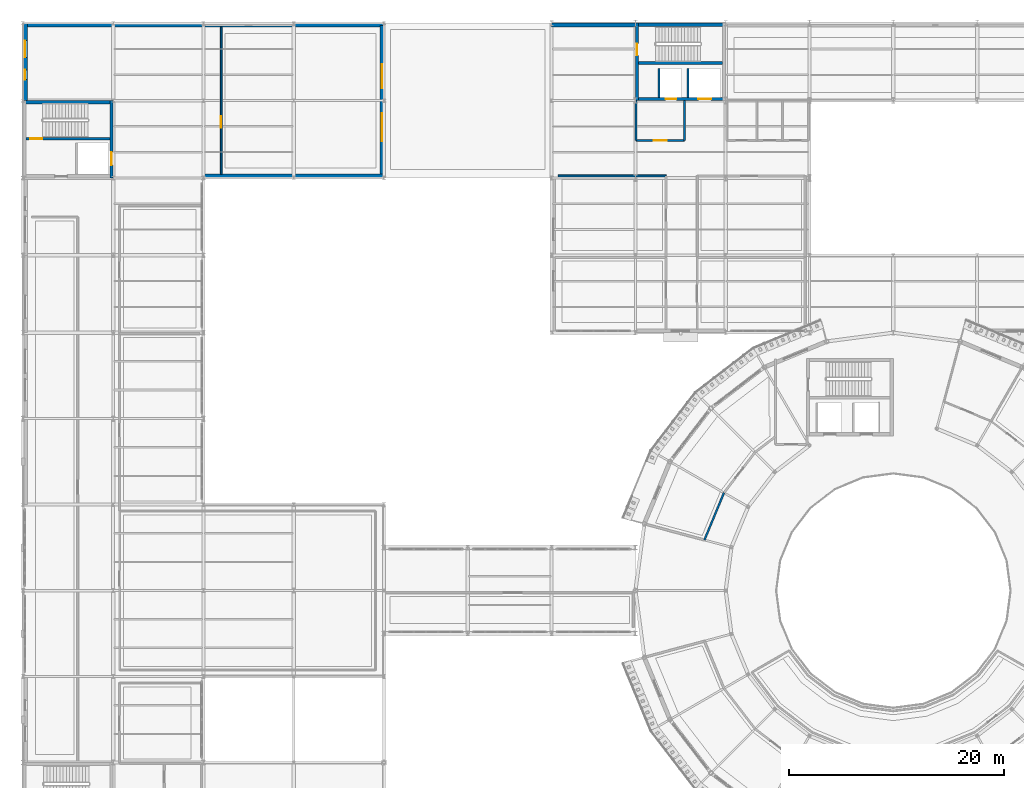
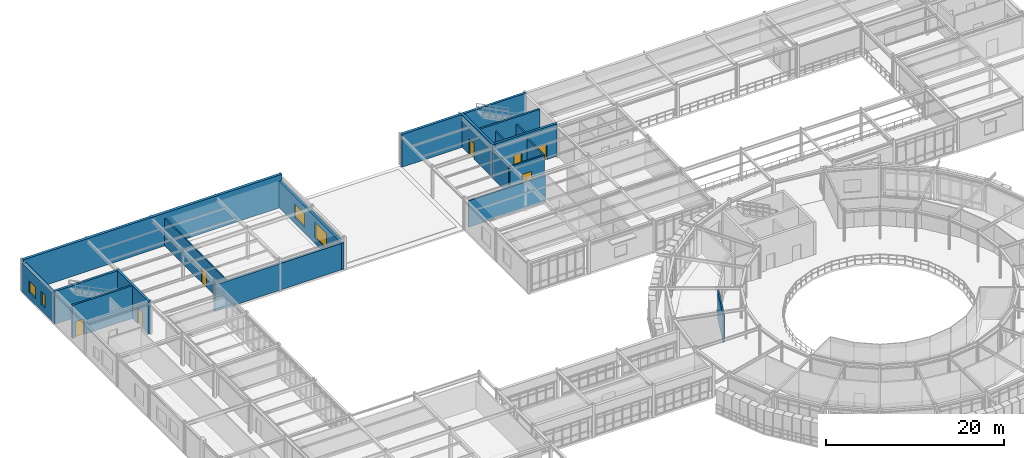
# One storey, part 89 of 106: 20 walls, 7 doors, 4 windows, 11 openings.
"""IFC4 building model written with IfcOpenShell, lengths in metres."""

import ifcopenshell
import ifcopenshell.guid

model = None  # the IFC model being written
_history = None  # IfcOwnerHistory: only IFC2X3 demands one
_inside = {}  # id of a spatial element -> (the spatial element, [elements in it])
_under = {}  # id of a project, library or spatial element -> (it, [spatial elements below it])
_declared = {}  # id of a project -> (the project, [libraries it declares])
_typed = {}  # id of a type object -> (the type object, [elements of that type])
_made_of = {}  # id of a material, layer set ... -> (it, [elements and type objects made of it])


def new_model(schema):
    """Start an empty IFC model of exactly this schema.

    Asked for "IFC4X3", IfcOpenShell would pick the latest addendum, in which some entities
    have other attributes; the version numbers below select the first issue.
    IFC2X3 requires an IfcOwnerHistory on every rooted entity: one is made here for all.
    """
    global model, _history
    if schema == "IFC4X3":
        model = ifcopenshell.file(schema_version=(4, 3, 0, 0))
    else:
        model = ifcopenshell.file(schema=schema)
    _inside.clear()
    _under.clear()
    _declared.clear()
    _typed.clear()
    _made_of.clear()
    _history = None
    if model.schema == "IFC2X3":
        org = make("IfcOrganization", Name="unknown")
        user = make(
            "IfcPersonAndOrganization",
            ThePerson=make("IfcPerson", FamilyName="unknown"),
            TheOrganization=org,
        )
        app = make(
            "IfcApplication",
            ApplicationDeveloper=org,
            Version="unknown",
            ApplicationFullName="unknown",
            ApplicationIdentifier="unknown",
        )
        _history = make(
            "IfcOwnerHistory",
            OwningUser=user,
            OwningApplication=app,
            ChangeAction="ADDED",
            CreationDate=0,
        )
    return model


def make(cls, **values):
    """One entity of the class cls with the attributes given. An attribute that is None is left unset."""
    return model.create_entity(
        cls, **{name: value for name, value in values.items() if value is not None}
    )


def rooted(cls, **values):
    """An entity with a GlobalId (a new one), such as an element, a storey or a relation."""
    return make(cls, GlobalId=ifcopenshell.guid.new(), OwnerHistory=_history, **values)


def si_unit(unit_type, name, prefix=None):
    """IfcSIUnit, for example si_unit("LENGTHUNIT", "METRE", prefix="MILLI")."""
    return make("IfcSIUnit", UnitType=unit_type, Prefix=prefix, Name=name)


def derived_unit(unit_type, elements):
    """IfcDerivedUnit: a product of units, each with its exponent."""
    return make(
        "IfcDerivedUnit",
        Elements=[
            make("IfcDerivedUnitElement", Unit=unit, Exponent=power)
            for unit, power in elements
        ],
        UnitType=unit_type,
    )


def assignment(units):
    """IfcUnitAssignment: the units of a project."""
    return None if units is None else make("IfcUnitAssignment", Units=units)


def point(xyz):
    """IfcCartesianPoint."""
    return None if xyz is None else make("IfcCartesianPoint", Coordinates=xyz)


def direction(xyz):
    """IfcDirection."""
    return None if xyz is None else make("IfcDirection", DirectionRatios=xyz)


def frame(location, z_axis=None, x_axis=None):
    """IfcAxis2Placement3D, a coordinate frame: its origin and axes. An axis left out is left unset."""
    return make(
        "IfcAxis2Placement3D",
        Location=point(location),
        Axis=direction(z_axis),
        RefDirection=direction(x_axis),
    )


def frame_2d(location, x_axis=None):
    """IfcAxis2Placement2D, a coordinate frame in the plane: its origin and x axis."""
    return make(
        "IfcAxis2Placement2D", Location=point(location), RefDirection=direction(x_axis)
    )


def origin():
    """The frame at (0, 0, 0) with its axes left unset."""
    return frame((0.0, 0.0, 0.0))


def place(relative_to, where):
    """IfcLocalPlacement: puts the frame where relative to a parent placement (None: the world)."""
    return make(
        "IfcLocalPlacement", PlacementRelTo=relative_to, RelativePlacement=where
    )


def context(
    kind, dimensions, precision=None, world=None, true_north=None, identifier=None
):
    """IfcGeometricRepresentationContext, for example the 3D "Model" context."""
    return make(
        "IfcGeometricRepresentationContext",
        ContextIdentifier=identifier,
        ContextType=kind,
        CoordinateSpaceDimension=dimensions,
        Precision=precision,
        WorldCoordinateSystem=world,
        TrueNorth=true_north,
    )


def subcontext(parent, identifier, kind, view, scale=None):
    """IfcGeometricRepresentationSubContext, for example "Body" below "Model"."""
    return make(
        "IfcGeometricRepresentationSubContext",
        ContextIdentifier=identifier,
        ContextType=kind,
        ParentContext=parent,
        TargetScale=scale,
        TargetView=view,
    )


def project(units=None, contexts=None):
    """IfcProject with its units and contexts."""
    return rooted(
        "IfcProject",
        Name="project",
        RepresentationContexts=contexts,
        UnitsInContext=assignment(units),
    )


def spatial(cls, under=None, at=None, **own):
    """A site, building, storey or space (cls), placed at a placement, below another one or the project."""
    s = rooted(cls, ObjectPlacement=at, **own)
    if under is not None:
        _under.setdefault(under.id(), (under, []))[1].append(s)
    return s


def profile(cls, at=None, kind="AREA", **sizes):
    """A parametric profile (cls). Its sizes go by their IFC names, for example OverallWidth=200.0."""
    return make(cls, ProfileType=kind, Position=at, **sizes)


def rectangle(**sizes):
    """IfcRectangleProfileDef."""
    return profile("IfcRectangleProfileDef", **sizes)


def extrude(swept, where, along, depth):
    """IfcExtrudedAreaSolid: the profile swept, set in the frame where, extruded along a direction by depth."""
    return make(
        "IfcExtrudedAreaSolid",
        SweptArea=swept,
        Position=where,
        ExtrudedDirection=direction(along),
        Depth=depth,
    )


def shape(context_of_items, identifier, shape_type, items):
    """IfcShapeRepresentation: the items that make up one representation, for example the "Body"."""
    return make(
        "IfcShapeRepresentation",
        ContextOfItems=context_of_items,
        RepresentationIdentifier=identifier,
        RepresentationType=shape_type,
        Items=items,
    )


def material(Name=None, Category=None):
    """IfcMaterial."""
    return make("IfcMaterial", Name=Name, Category=Category)


def layer(
    of_material, thickness, ventilated=None, Name=None, Category=None, Priority=None
):
    """IfcMaterialLayer: one layer of a wall or slab, of a material (None: an air gap)."""
    return make(
        "IfcMaterialLayer",
        Material=of_material,
        LayerThickness=thickness,
        IsVentilated=ventilated,
        Name=Name,
        Category=Category,
        Priority=Priority,
    )


def layer_set(layers, Name=None):
    """IfcMaterialLayerSet."""
    return make("IfcMaterialLayerSet", MaterialLayers=layers, LayerSetName=Name)


def made_of(thing, what):
    """Note that an element or type object is made of a material, layer set ...; save() writes the relation."""
    if what is not None:
        _made_of.setdefault(what.id(), (what, []))[1].append(thing)
    return thing


def type_object(cls, material=None, **own):
    """A type object (cls), such as IfcWallType, which elements share."""
    return made_of(rooted(cls, **own), material)


def element(
    cls,
    number,
    at=None,
    inside=None,
    cuts=None,
    type_object=None,
    material=None,
    context=None,
    identifier="Body",
    shape_type=None,
    held_by="IfcProductDefinitionShape",
    body=None,
    shapes=None,
    **own,
):
    """One element of the class cls, such as IfcWall. Its Tag is "e" and its number.

    at: its placement. inside: the storey or other place that contains it. cuts: it is an
    opening in that element (IfcRelVoidsElement). A single representation is given by context,
    identifier, shape_type and body (its items); several are given by shapes. held_by: the class
    of the entity that holds the representations. save() writes the other relations.
    """
    e = rooted(cls, Tag="e%d" % number, ObjectPlacement=at, **own)
    if body is not None:
        shapes = [shape(context, identifier, shape_type, body)]
    if shapes is not None:
        e.Representation = make(held_by, Representations=shapes)
    if inside is not None:
        _inside.setdefault(inside.id(), (inside, []))[1].append(e)
    if cuts is not None:
        rooted(
            "IfcRelVoidsElement", RelatingBuildingElement=cuts, RelatedOpeningElement=e
        )
    if type_object is not None:
        _typed.setdefault(type_object.id(), (type_object, []))[1].append(e)
    return made_of(e, material)


def fill(opening, filler):
    """IfcRelFillsElement: the door or window that sits in an opening."""
    return rooted(
        "IfcRelFillsElement",
        RelatingOpeningElement=opening,
        RelatedBuildingElement=filler,
    )


def aggregate(whole, parts):
    """IfcRelAggregates: a whole, such as a stair, and the parts it consists of."""
    return rooted("IfcRelAggregates", RelatingObject=whole, RelatedObjects=parts)


def save(model, path):
    """Write the relations noted so far, then the file.

    IfcRelAggregates (storeys below a building ...), IfcRelContainedInSpatialStructure (elements
    in a storey), IfcRelDefinesByType, IfcRelAssociatesMaterial and IfcRelDeclares: one each for
    every whole, place, type object, material and project.
    """
    for whole, parts in _under.values():
        aggregate(whole, parts)
    for where, things in _inside.values():
        rooted(
            "IfcRelContainedInSpatialStructure",
            RelatedElements=things,
            RelatingStructure=where,
        )
    for kind, things in _typed.values():
        rooted("IfcRelDefinesByType", RelatedObjects=things, RelatingType=kind)
    for what, things in _made_of.values():
        rooted("IfcRelAssociatesMaterial", RelatedObjects=things, RelatingMaterial=what)
    for by, libraries in _declared.values():
        rooted("IfcRelDeclares", RelatingContext=by, RelatedDefinitions=libraries)
    model.write(path)


model = new_model("IFC4")

# Units and contexts
model_context = context("Model", 3, precision=1e-05, world=origin(), true_north=direction((0.0, 1.0)))
body_context = subcontext(model_context, "Body", "Model", "MODEL_VIEW")
ifc_project = project(units=[si_unit("LENGTHUNIT", "METRE"), si_unit("AREAUNIT", "SQUARE_METRE"), si_unit("VOLUMEUNIT", "CUBIC_METRE"), si_unit("PLANEANGLEUNIT", "RADIAN"), si_unit("MASSUNIT", "GRAM", prefix="KILO"), derived_unit("THERMALTRANSMITTANCEUNIT", [(si_unit("POWERUNIT", "WATT"), 1), (si_unit("AREAUNIT", "SQUARE_METRE"), -1), (si_unit("THERMODYNAMICTEMPERATUREUNIT", "KELVIN"), -1)])], contexts=[model_context])

# Site, building, storey
site_placement = place(None, origin())
site = spatial("IfcSite", under=ifc_project, at=site_placement, CompositionType="ELEMENT")
building_placement = place(site_placement, origin())
building = spatial("IfcBuilding", under=site, at=building_placement, Name="Yasenodar Specialist Clinic", CompositionType="ELEMENT")
storey_placement = place(building_placement, frame((0.0, 0.0, 4.5)))
storey = spatial("IfcBuildingStorey", under=building, at=storey_placement, Name="L01", CompositionType="ELEMENT", Elevation=4.5)

# Wall, openings, windows
ifc_material_1 = material(Name="Kapustianske Red Granite Ashlar Rainscreen", Category="masonry")
ifc_layer_1 = layer(ifc_material_1, 0.419921875)
ifc_layer_set_1 = layer_set([ifc_layer_1], Name="Kapustianske Red Granite Ashlar Rainscreen")
wall_type_1 = type_object("IfcWallType", Name="EW-GRAN-420", PredefinedType="SOLIDWALL", material=ifc_layer_set_1)
wall_1_placement = place(storey_placement, frame((0.199951171875, 104.39990234375, 0.0), z_axis=(0.0, 0.0, 1.0), x_axis=(0.0, 1.0, 0.0)))
wall_1 = element("IfcWall", 1, at=wall_1_placement, inside=storey, type_object=wall_type_1, Name="L01 Exterior Facade Wall 0096", PredefinedType="SOLIDWALL", context=body_context, shape_type="SweptSolid", body=[
    extrude(rectangle(XDim=7.2001953125, YDim=0.419921875, at=frame_2d((3.60009765625, 0.0))), origin(), (0.0, 0.0, 1.0), 3.97802734375),
])
opening_1_placement = place(wall_1_placement, frame((1.949951171875, 0.0, 0.85009765625)))
opening_1 = element("IfcOpeningElement", 2, at=opening_1_placement, cuts=wall_1, Name="Opening W-09", PredefinedType="OPENING", context=body_context, shape_type="SweptSolid", body=[
    extrude(rectangle(XDim=0.89990234375, YDim=1.800048828125, at=frame_2d((0.449951171875, 0.89990234375))), frame((0.0, 0.219970703125, 0.0), z_axis=(0.0, -1.0, 0.0), x_axis=(1.0, 0.0, 0.0)), (0.0, 0.0, 1.0), 0.43994140625),
])
opening_2_placement = place(wall_1_placement, frame((4.02490234375, 0.0, 0.85009765625)))
opening_2 = element("IfcOpeningElement", 3, at=opening_2_placement, cuts=wall_1, Name="Opening W-16", PredefinedType="OPENING", context=body_context, shape_type="SweptSolid", body=[
    extrude(rectangle(XDim=1.550048828125, YDim=1.60009765625, at=frame_2d((0.77490234375, 0.800048828125))), frame((0.0, 0.219970703125, 0.0), z_axis=(0.0, -1.0, 0.0), x_axis=(1.0, 0.0, 0.0)), (0.0, 0.0, 1.0), 0.43994140625),
])
ifc_material_2 = material(Name="Triple Low-E Argon Glazing in Bronze Aluminium Frame", Category="aluminium")
window_type_1 = type_object("IfcWindowType", Name="WIN-EXT-09", PartitioningType="SINGLE_PANEL", PredefinedType="WINDOW", material=ifc_material_2)
window_1_placement = place(opening_1_placement, origin())
window_1 = element("IfcWindow", 4, at=window_1_placement, inside=storey, type_object=window_type_1, Name="L01 Triple-Glazed Reveal Window 0086", OverallHeight=1.800048828125, OverallWidth=0.89990234375, PartitioningType="SINGLE_PANEL", PredefinedType="WINDOW", context=body_context, shape_type="SweptSolid", body=[
    extrude(rectangle(XDim=0.89990234375, YDim=1.800048828125, at=frame_2d((0.449951171875, 0.89990234375))), frame((0.0, 0.030029296875, 0.0), z_axis=(0.0, -1.0, 0.0), x_axis=(1.0, 0.0, 0.0)), (0.0, 0.0, 1.0), 0.06005859375),
])
fill(opening_1, window_1)
window_type_2 = type_object("IfcWindowType", Name="WIN-EXT-16", PartitioningType="SINGLE_PANEL", PredefinedType="WINDOW", material=ifc_material_2)
window_2_placement = place(opening_2_placement, origin())
window_2 = element("IfcWindow", 5, at=window_2_placement, inside=storey, type_object=window_type_2, Name="L01 Triple-Glazed Reveal Window 0087", OverallHeight=1.60009765625, OverallWidth=1.550048828125, PartitioningType="SINGLE_PANEL", PredefinedType="WINDOW", context=body_context, shape_type="SweptSolid", body=[
    extrude(rectangle(XDim=1.550048828125, YDim=1.60009765625, at=frame_2d((0.77490234375, 0.800048828125))), frame((0.0, 0.030029296875, 0.0), z_axis=(0.0, -1.0, 0.0), x_axis=(1.0, 0.0, 0.0)), (0.0, 0.0, 1.0), 0.06005859375),
])
fill(opening_2, window_2)

# Wall
ifc_material_3 = material(Name="Fluted Terracotta Spandrel Wall", Category="masonry")
ifc_layer_2 = layer(ifc_material_3, 0.31494140625)
ifc_layer_set_2 = layer_set([ifc_layer_2], Name="Fluted Terracotta Spandrel Wall")
wall_type_2 = type_object("IfcWallType", Name="EW-TERR-315", PredefinedType="SOLIDWALL", material=ifc_layer_set_2)
wall_2_placement = place(storey_placement, frame((33.60009765625, 97.39990234375, 0.0), z_axis=(0.0, 0.0, 1.0), x_axis=(-1.0, 0.0, 0.0)))
element("IfcWall", 6, at=wall_2_placement, inside=storey, type_object=wall_type_2, Name="L01 Exterior Facade Wall 0098", PredefinedType="SOLIDWALL", context=body_context, shape_type="SweptSolid", body=[
    extrude(rectangle(XDim=16.800048828125, YDim=0.31494140625, at=frame_2d((8.39990234375, 0.0))), origin(), (0.0, 0.0, 1.0), 3.6279296875),
])

# Wall, openings, windows
ifc_material_4 = material(Name="Buff Architectural Terracotta Rainscreen", Category="masonry")
ifc_layer_3 = layer(ifc_material_4, 0.340087890625)
ifc_layer_set_3 = layer_set([ifc_layer_3], Name="Buff Architectural Terracotta Rainscreen")
wall_type_3 = type_object("IfcWallType", Name="EW-TERR-340", PredefinedType="SOLIDWALL", material=ifc_layer_set_3)
wall_3_placement = place(storey_placement, frame((33.39990234375, 111.39990234375, 0.0), z_axis=(0.0, 0.0, 1.0), x_axis=(0.0, -1.0, 0.0)))
wall_3 = element("IfcWall", 7, at=wall_3_placement, inside=storey, type_object=wall_type_3, Name="L01 Exterior Facade Wall 0097", PredefinedType="SOLIDWALL", context=body_context, shape_type="SweptSolid", body=[
    extrude(rectangle(XDim=14.199951171875, YDim=0.340087890625, at=frame_2d((7.10009765625, 0.0))), origin(), (0.0, 0.0, 1.0), 3.677978515625),
])
opening_3_placement = place(wall_3_placement, frame((3.63330078125, 0.0, 0.85009765625)))
opening_3 = element("IfcOpeningElement", 8, at=opening_3_placement, cuts=wall_3, Name="Opening W-13", PredefinedType="OPENING", context=body_context, shape_type="SweptSolid", body=[
    extrude(rectangle(XDim=2.199951171875, YDim=1.85009765625, at=frame_2d((1.10009765625, 0.925048828125))), frame((0.0, 0.18017578125, 0.0), z_axis=(0.0, -1.0, 0.0), x_axis=(1.0, 0.0, 0.0)), (0.0, 0.0, 1.0), 0.360107421875),
])
opening_4_placement = place(wall_3_placement, frame((8.166748046875, 0.0, 0.85009765625)))
opening_4 = element("IfcOpeningElement", 9, at=opening_4_placement, cuts=wall_3, Name="Opening W-14", PredefinedType="OPENING", context=body_context, shape_type="SweptSolid", body=[
    extrude(rectangle(XDim=2.60009765625, YDim=2.10009765625, at=frame_2d((1.300048828125, 1.050048828125))), frame((0.0, 0.18017578125, 0.0), z_axis=(0.0, -1.0, 0.0), x_axis=(1.0, 0.0, 0.0)), (0.0, 0.0, 1.0), 0.360107421875),
])
window_type_3 = type_object("IfcWindowType", Name="WIN-EXT-13", PartitioningType="SINGLE_PANEL", PredefinedType="WINDOW", material=ifc_material_2)
window_3_placement = place(opening_3_placement, origin())
window_3 = element("IfcWindow", 10, at=window_3_placement, inside=storey, type_object=window_type_3, Name="L01 Triple-Glazed Reveal Window 0088", OverallHeight=1.85009765625, OverallWidth=2.199951171875, PartitioningType="SINGLE_PANEL", PredefinedType="WINDOW", context=body_context, shape_type="SweptSolid", body=[
    extrude(rectangle(XDim=2.199951171875, YDim=1.85009765625, at=frame_2d((1.10009765625, 0.925048828125))), frame((0.0, 0.030029296875, 0.0), z_axis=(0.0, -1.0, 0.0), x_axis=(1.0, 0.0, 0.0)), (0.0, 0.0, 1.0), 0.06005859375),
])
fill(opening_3, window_3)
window_type_4 = type_object("IfcWindowType", Name="WIN-EXT-14", PartitioningType="SINGLE_PANEL", PredefinedType="WINDOW", material=ifc_material_2)
window_4_placement = place(opening_4_placement, origin())
window_4 = element("IfcWindow", 11, at=window_4_placement, inside=storey, type_object=window_type_4, Name="L01 Triple-Glazed Reveal Window 0089", OverallHeight=2.10009765625, OverallWidth=2.60009765625, PartitioningType="SINGLE_PANEL", PredefinedType="WINDOW", context=body_context, shape_type="SweptSolid", body=[
    extrude(rectangle(XDim=2.60009765625, YDim=2.10009765625, at=frame_2d((1.300048828125, 1.050048828125))), frame((0.0, 0.030029296875, 0.0), z_axis=(0.0, -1.0, 0.0), x_axis=(1.0, 0.0, 0.0)), (0.0, 0.0, 1.0), 0.06005859375),
])
fill(opening_4, window_4)

# Wall, opening, door
ifc_material_5 = material(Name="Acoustic Double-Gypsum Consulting Partition")
ifc_layer_4 = layer(ifc_material_5, 0.159912109375)
ifc_layer_set_4 = layer_set([ifc_layer_4], Name="Acoustic Double-Gypsum Consulting Partition")
wall_type_4 = type_object("IfcWallType", Name="IW-CONS-160", PredefinedType="PARTITIONING", material=ifc_layer_set_4)
wall_4_placement = place(storey_placement, frame((18.449951171875, 97.53759765625, 0.0), z_axis=(0.0, 0.0, 1.0), x_axis=(0.0, 1.0, 0.0)))
wall_4 = element("IfcWall", 12, at=wall_4_placement, inside=storey, type_object=wall_type_4, Name="L01 Endocrinology Specialist Clinic Partition", PredefinedType="PARTITIONING", context=body_context, shape_type="SweptSolid", body=[
    extrude(rectangle(XDim=13.732421875, YDim=0.159912109375, at=frame_2d((6.8662109375, 0.0))), origin(), (0.0, 0.0, 1.0), 3.72802734375),
])
opening_5_placement = place(wall_4_placement, frame((4.33251953125, 0.0, 0.0)))
opening_5 = element("IfcOpeningElement", 13, at=opening_5_placement, cuts=wall_4, Name="Opening D-04", PredefinedType="OPENING", context=body_context, shape_type="SweptSolid", body=[
    extrude(rectangle(XDim=1.06005859375, YDim=2.159912109375, at=frame_2d((0.530029296875, 1.080078125))), frame((0.0, 0.08984375, 0.0), z_axis=(0.0, -1.0, 0.0), x_axis=(1.0, 0.0, 0.0)), (0.0, 0.0, 1.0), 0.179931640625),
])
ifc_material_6 = material(Name="Powder-Coated Steel and Acoustic Laminate Leaf", Category="steel")
door_type_1 = type_object("IfcDoorType", Name="DR-CLN-106", OperationType="NOTDEFINED", PredefinedType="DOOR", material=ifc_material_6)
door_1_placement = place(opening_5_placement, origin())
door_1 = element("IfcDoor", 14, at=door_1_placement, inside=storey, type_object=door_type_1, Name="L01 Endocrinology Specialist Clinic Door", OperationType="SINGLE_SWING_RIGHT", OverallHeight=2.159912109375, OverallWidth=1.06005859375, PredefinedType="DOOR", context=body_context, shape_type="SweptSolid", body=[
    extrude(rectangle(XDim=1.06005859375, YDim=2.159912109375, at=frame_2d((0.530029296875, 1.080078125))), frame((0.0, 0.02490234375, 0.0), z_axis=(0.0, -1.0, 0.0), x_axis=(1.0, 0.0, 0.0)), (0.0, 0.0, 1.0), 0.050048828125),
])
fill(opening_5, door_1)

ifc_material_7 = material(Name="Fire-Rated Gypsum and Mineral-Wool Wall")
ifc_layer_5 = layer(ifc_material_7, 0.195068359375)
ifc_layer_set_5 = layer_set([ifc_layer_5], Name="Fire-Rated Gypsum and Mineral-Wool Wall")
wall_type_5 = type_object("IfcWallType", Name="IW-LOBBY-195", PredefinedType="PARTITIONING", material=ifc_layer_set_5)
wall_5_placement = place(storey_placement, frame((57.050048828125, 100.699951171875, 0.0), z_axis=(0.0, 0.0, 1.0), x_axis=(1.0, 0.0, 0.0)))
wall_5 = element("IfcWall", 15, at=wall_5_placement, inside=storey, type_object=wall_type_5, Name="L01 C4 Firefighting Lobby South Wall", PredefinedType="PARTITIONING", context=body_context, shape_type="SweptSolid", body=[
    extrude(rectangle(XDim=4.5, YDim=0.195068359375, at=frame_2d((2.25, 0.0))), origin(), (0.0, 0.0, 1.0), 3.778076171875),
])
opening_6_placement = place(wall_5_placement, frame((1.64990234375, 0.0, 0.0)))
opening_6 = element("IfcOpeningElement", 16, at=opening_6_placement, cuts=wall_5, Name="Opening FD-02", PredefinedType="OPENING", context=body_context, shape_type="SweptSolid", body=[
    extrude(rectangle(XDim=1.199951171875, YDim=2.14990234375, at=frame_2d((0.60009765625, 1.074951171875))), frame((0.0, 0.107421875, 0.0), z_axis=(0.0, -1.0, 0.0), x_axis=(1.0, 0.0, 0.0)), (0.0, 0.0, 1.0), 0.215087890625),
])
ifc_material_8 = material(Name="Fire-Rated Insulated Steel Door", Category="steel")
door_type_2 = type_object("IfcDoorType", Name="DR-FD-120", OperationType="NOTDEFINED", PredefinedType="DOOR", material=ifc_material_8)
door_2_placement = place(opening_6_placement, origin())
door_2 = element("IfcDoor", 17, at=door_2_placement, inside=storey, type_object=door_type_2, Name="L01 C4 Firefighting Lobby Door", OperationType="SINGLE_SWING_RIGHT", OverallHeight=2.14990234375, OverallWidth=1.199951171875, PredefinedType="DOOR", context=body_context, shape_type="SweptSolid", body=[
    extrude(rectangle(XDim=1.199951171875, YDim=2.14990234375, at=frame_2d((0.60009765625, 1.074951171875))), frame((0.0, 0.02490234375, 0.0), z_axis=(0.0, -1.0, 0.0), x_axis=(1.0, 0.0, 0.0)), (0.0, 0.0, 1.0), 0.050048828125),
])
fill(opening_6, door_2)

# Walls
wall_6_placement = place(storey_placement, frame((61.550048828125, 100.699951171875, 0.0), z_axis=(0.0, 0.0, 1.0), x_axis=(0.0, 1.0, 0.0)))
element("IfcWall", 18, at=wall_6_placement, inside=storey, type_object=wall_type_5, Name="L01 C4 Firefighting Lobby East Wall", PredefinedType="PARTITIONING", context=body_context, shape_type="SweptSolid", body=[
    extrude(rectangle(XDim=3.699951171875, YDim=0.195068359375, at=frame_2d((1.85009765625, 0.0))), origin(), (0.0, 0.0, 1.0), 3.7880859375),
])
wall_7_placement = place(storey_placement, frame((57.050048828125, 100.699951171875, 0.0), z_axis=(0.0, 0.0, 1.0), x_axis=(0.0, 1.0, 0.0)))
element("IfcWall", 19, at=wall_7_placement, inside=storey, type_object=wall_type_5, Name="L01 C4 Firefighting Lobby West Wall", PredefinedType="PARTITIONING", context=body_context, shape_type="SweptSolid", body=[
    extrude(rectangle(XDim=3.699951171875, YDim=0.195068359375, at=frame_2d((1.85009765625, 0.0))), origin(), (0.0, 0.0, 1.0), 3.778076171875),
])
ifc_material_9 = material(Name="Hygienic Double-Stud Clinical Partition")
ifc_layer_6 = layer(ifc_material_9, 0.179931640625)
ifc_layer_set_6 = layer_set([ifc_layer_6], Name="Hygienic Double-Stud Clinical Partition")
wall_type_6 = type_object("IfcWallType", Name="IW-PROC-180", PredefinedType="PARTITIONING", material=ifc_layer_set_6)
wall_8_placement = place(storey_placement, frame((65.23828125, 67.89990234375, 0.0), z_axis=(0.0, 0.0, 1.0), x_axis=(-0.382677044484, -0.923882178432, 0.0)))
element("IfcWall", 20, at=wall_8_placement, inside=storey, type_object=wall_type_6, Name="L01 Oncology Infusion Bay Suite North-West Partition", PredefinedType="PARTITIONING", context=body_context, shape_type="SweptSolid", body=[
    extrude(rectangle(XDim=4.7509765625, YDim=0.179931640625, at=frame_2d((2.37548828125, 0.0))), origin(), (0.0, 0.0, 1.0), 3.867919921875),
])
wall_9_placement = place(storey_placement, frame((59.85009765625, 97.39990234375, 0.0), z_axis=(0.0, 0.0, 1.0), x_axis=(-1.0, 0.0, 0.0)))
element("IfcWall", 21, at=wall_9_placement, inside=storey, type_object=wall_type_6, Name="L01 Scope Reprocessing Clean Utility Partition", PredefinedType="PARTITIONING", context=body_context, shape_type="SweptSolid", body=[
    extrude(rectangle(XDim=10.050048828125, YDim=0.179931640625, at=frame_2d((5.02490234375, 0.0))), origin(), (0.0, 0.0, 1.0), 3.6279296875),
])
ifc_material_10 = material(Name="Aerated Concrete Blockwork Fire Shaft Wall", Category="masonry")
ifc_layer_7 = layer(ifc_material_10, 0.205078125)
ifc_layer_set_7 = layer_set([ifc_layer_7], Name="Aerated Concrete Blockwork Fire Shaft Wall")
wall_type_7 = type_object("IfcWallType", Name="IW-SHAFT-205", PredefinedType="PARTITIONING", material=ifc_layer_set_7)
for number, where, z_axis, x_axis, name in (
    (22, (59.199951171875, 104.699951171875, 0.0), (0.0, 0.0, 1.0), (0.0, 1.0, 0.0), "L01 LF-02 Lift Shaft Side Wall"),
    (23, (61.89990234375, 104.699951171875, 0.0), (0.0, 0.0, 1.0), (0.0, 1.0, 0.0), "L01 LF-04 Lift Shaft Side Wall"),
):
    element("IfcWall", number, at=place(storey_placement, frame(where, z_axis=z_axis, x_axis=x_axis)), inside=storey, type_object=wall_type_7, Name=name, PredefinedType="PARTITIONING", context=body_context, shape_type="SweptSolid", body=[
        extrude(rectangle(XDim=2.699951171875, YDim=0.205078125, at=frame_2d((1.35009765625, 0.0))), origin(), (0.0, 0.0, 1.0), 3.7880859375),
    ])

# Wall, opening, door
ifc_material_11 = material(Name="Concrete C35/45", Category="concrete")
ifc_layer_8 = layer(ifc_material_11, 0.25)
ifc_layer_set_8 = layer_set([ifc_layer_8], Name="Concrete C35/45")
wall_type_8 = type_object("IfcWallType", Name="WL-CORE-250", PredefinedType="SHEAR", material=ifc_layer_set_8)
wall_10_placement = place(storey_placement, frame((0.300048828125, 100.85009765625, 0.0), z_axis=(0.0, 0.0, 1.0), x_axis=(1.0, 0.0, 0.0)))
wall_10 = element("IfcWall", 24, at=wall_10_placement, inside=storey, type_object=wall_type_8, Name="L01 Core C2 Central Spine Wall", PredefinedType="SHEAR", context=body_context, shape_type="SweptSolid", body=[
    extrude(rectangle(XDim=7.800048828125, YDim=0.25, at=frame_2d((3.89990234375, 0.0))), origin(), (0.0, 0.0, 1.0), 4.5),
])
opening_7_placement = place(wall_10_placement, frame((0.39990234375, 0.0, 0.0)))
opening_7 = element("IfcOpeningElement", 25, at=opening_7_placement, cuts=wall_10, Name="Opening FD-01", PredefinedType="OPENING", context=body_context, shape_type="SweptSolid", body=[
    extrude(rectangle(XDim=1.10009765625, YDim=2.14990234375, at=frame_2d((0.550048828125, 1.074951171875))), frame((0.0, 0.135009765625, 0.0), z_axis=(0.0, -1.0, 0.0), x_axis=(1.0, 0.0, 0.0)), (0.0, 0.0, 1.0), 0.27001953125),
])
door_type_3 = type_object("IfcDoorType", Name="DR-FD-110", OperationType="NOTDEFINED", PredefinedType="DOOR", material=ifc_material_8)
door_3_placement = place(opening_7_placement, origin())
door_3 = element("IfcDoor", 26, at=door_3_placement, inside=storey, type_object=door_type_3, Name="L01 ST-02 Protected Stair Door", OperationType="SINGLE_SWING_LEFT", OverallHeight=2.14990234375, OverallWidth=1.10009765625, PredefinedType="DOOR", context=body_context, shape_type="SweptSolid", body=[
    extrude(rectangle(XDim=1.10009765625, YDim=2.14990234375, at=frame_2d((0.550048828125, 1.074951171875))), frame((0.0, 0.02490234375, 0.0), z_axis=(0.0, -1.0, 0.0), x_axis=(1.0, 0.0, 0.0)), (0.0, 0.0, 1.0), 0.050048828125),
])
fill(opening_7, door_3)

# Walls
wall_11_placement = place(storey_placement, frame((57.300048828125, 107.89990234375, 0.0), z_axis=(0.0, 0.0, 1.0), x_axis=(1.0, 0.0, 0.0)))
element("IfcWall", 27, at=wall_11_placement, inside=storey, type_object=wall_type_8, Name="L01 Core C4 Central Spine Wall", PredefinedType="SHEAR", context=body_context, shape_type="SweptSolid", body=[
    extrude(rectangle(XDim=7.800048828125, YDim=0.25, at=frame_2d((3.89990234375, 0.0))), origin(), (0.0, 0.0, 1.0), 4.5),
])
ifc_layer_9 = layer(ifc_material_11, 0.300048828125)
ifc_layer_set_9 = layer_set([ifc_layer_9], Name="Concrete C35/45")
wall_type_9 = type_object("IfcWallType", Name="WL-CORE-300", PredefinedType="SHEAR", material=ifc_layer_set_9)
wall_12_placement = place(storey_placement, frame((0.0, 104.25, 0.0), z_axis=(0.0, 0.0, 1.0), x_axis=(1.0, 0.0, 0.0)))
element("IfcWall", 28, at=wall_12_placement, inside=storey, type_object=wall_type_9, Name="L01 Core C2 North Shear Wall", PredefinedType="SHEAR", context=body_context, shape_type="SweptSolid", body=[
    extrude(rectangle(XDim=8.39990234375, YDim=0.300048828125, at=frame_2d((4.199951171875, 0.0))), origin(), (0.0, 0.0, 1.0), 4.5),
])

# Wall, opening, door
wall_13_placement = place(storey_placement, frame((8.25, 97.199951171875, 0.0), z_axis=(0.0, 0.0, 1.0), x_axis=(0.0, 1.0, 0.0)))
wall_13 = element("IfcWall", 29, at=wall_13_placement, inside=storey, type_object=wall_type_9, Name="L01 Core C2 East Shear Wall", PredefinedType="SHEAR", context=body_context, shape_type="SweptSolid", body=[
    extrude(rectangle(XDim=7.199951171875, YDim=0.300048828125, at=frame_2d((3.60009765625, 0.0))), origin(), (0.0, 0.0, 1.0), 4.5),
])
opening_8_placement = place(wall_13_placement, frame((1.199951171875, 0.0, 0.0)))
opening_8 = element("IfcOpeningElement", 30, at=opening_8_placement, cuts=wall_13, Name="Opening LD-02", PredefinedType="OPENING", context=body_context, shape_type="SweptSolid", body=[
    extrude(rectangle(XDim=1.199951171875, YDim=2.14990234375, at=frame_2d((0.60009765625, 1.074951171875))), frame((0.0, 0.16015625, 0.0), z_axis=(0.0, -1.0, 0.0), x_axis=(1.0, 0.0, 0.0)), (0.0, 0.0, 1.0), 0.320068359375),
])
door_type_4 = type_object("IfcDoorType", Name="DR-LD-120", OperationType="DOUBLE_DOOR_SLIDING", PredefinedType="DOOR", material=ifc_material_8)
door_4_placement = place(opening_8_placement, origin())
door_4 = element("IfcDoor", 31, at=door_4_placement, inside=storey, type_object=door_type_4, Name="L01 LF-03 Lift Landing Door", OperationType="DOUBLE_DOOR_SLIDING", OverallHeight=2.14990234375, OverallWidth=1.199951171875, PredefinedType="DOOR", context=body_context, shape_type="SweptSolid", body=[
    extrude(rectangle(XDim=1.199951171875, YDim=2.14990234375, at=frame_2d((0.60009765625, 1.074951171875))), frame((0.0, 0.02490234375, 0.0), z_axis=(0.0, -1.0, 0.0), x_axis=(1.0, 0.0, 0.0)), (0.0, 0.0, 1.0), 0.050048828125),
])
fill(opening_8, door_4)

# Wall
wall_14_placement = place(storey_placement, frame((57.0, 111.449951171875, 0.0), z_axis=(0.0, 0.0, 1.0), x_axis=(1.0, 0.0, 0.0)))
element("IfcWall", 32, at=wall_14_placement, inside=storey, type_object=wall_type_9, Name="L01 Core C4 North Shear Wall", PredefinedType="SHEAR", context=body_context, shape_type="SweptSolid", body=[
    extrude(rectangle(XDim=8.39990234375, YDim=0.300048828125, at=frame_2d((4.199951171875, 0.0))), origin(), (0.0, 0.0, 1.0), 4.5),
])

# Wall, openings, doors
wall_15_placement = place(storey_placement, frame((57.0, 104.550048828125, 0.0), z_axis=(0.0, 0.0, 1.0), x_axis=(1.0, 0.0, 0.0)))
wall_15 = element("IfcWall", 33, at=wall_15_placement, inside=storey, type_object=wall_type_9, Name="L01 Core C4 South Shear Wall", PredefinedType="SHEAR", context=body_context, shape_type="SweptSolid", body=[
    extrude(rectangle(XDim=8.39990234375, YDim=0.300048828125, at=frame_2d((4.199951171875, 0.0))), origin(), (0.0, 0.0, 1.0), 4.5),
])
opening_9_placement = place(wall_15_placement, frame((2.800048828125, 0.0, 0.0)))
opening_9 = element("IfcOpeningElement", 34, at=opening_9_placement, cuts=wall_15, Name="Opening LD-01", PredefinedType="OPENING", context=body_context, shape_type="SweptSolid", body=[
    extrude(rectangle(XDim=1.0, YDim=2.10009765625, at=frame_2d((0.5, 1.050048828125))), frame((0.0, 0.16015625, 0.0), z_axis=(0.0, -1.0, 0.0), x_axis=(1.0, 0.0, 0.0)), (0.0, 0.0, 1.0), 0.320068359375),
])
opening_10_placement = place(wall_15_placement, frame((5.85009765625, 0.0, 0.0)))
opening_10 = element("IfcOpeningElement", 35, at=opening_10_placement, cuts=wall_15, Name="Opening LD-02", PredefinedType="OPENING", context=body_context, shape_type="SweptSolid", body=[
    extrude(rectangle(XDim=1.199951171875, YDim=2.14990234375, at=frame_2d((0.60009765625, 1.074951171875))), frame((0.0, 0.16015625, 0.0), z_axis=(0.0, -1.0, 0.0), x_axis=(1.0, 0.0, 0.0)), (0.0, 0.0, 1.0), 0.320068359375),
])
door_type_5 = type_object("IfcDoorType", Name="DR-LD-100", OperationType="DOUBLE_DOOR_SLIDING", PredefinedType="DOOR", material=ifc_material_8)
door_5_placement = place(opening_9_placement, origin())
door_5 = element("IfcDoor", 36, at=door_5_placement, inside=storey, type_object=door_type_5, Name="L01 LF-02 Lift Landing Door", OperationType="DOUBLE_DOOR_SLIDING", OverallHeight=2.10009765625, OverallWidth=1.0, PredefinedType="DOOR", context=body_context, shape_type="SweptSolid", body=[
    extrude(rectangle(XDim=1.0, YDim=2.10009765625, at=frame_2d((0.5, 1.050048828125))), frame((0.0, 0.02490234375, 0.0), z_axis=(0.0, -1.0, 0.0), x_axis=(1.0, 0.0, 0.0)), (0.0, 0.0, 1.0), 0.050048828125),
])
fill(opening_9, door_5)
door_6_placement = place(opening_10_placement, origin())
door_6 = element("IfcDoor", 37, at=door_6_placement, inside=storey, type_object=door_type_4, Name="L01 LF-04 Lift Landing Door", OperationType="DOUBLE_DOOR_SLIDING", OverallHeight=2.14990234375, OverallWidth=1.199951171875, PredefinedType="DOOR", context=body_context, shape_type="SweptSolid", body=[
    extrude(rectangle(XDim=1.199951171875, YDim=2.14990234375, at=frame_2d((0.60009765625, 1.074951171875))), frame((0.0, 0.02490234375, 0.0), z_axis=(0.0, -1.0, 0.0), x_axis=(1.0, 0.0, 0.0)), (0.0, 0.0, 1.0), 0.050048828125),
])
fill(opening_10, door_6)

# Wall, opening, door
wall_16_placement = place(storey_placement, frame((57.14990234375, 104.39990234375, 0.0), z_axis=(0.0, 0.0, 1.0), x_axis=(0.0, 1.0, 0.0)))
wall_16 = element("IfcWall", 38, at=wall_16_placement, inside=storey, type_object=wall_type_9, Name="L01 Core C4 West Shear Wall", PredefinedType="SHEAR", context=body_context, shape_type="SweptSolid", body=[
    extrude(rectangle(XDim=7.2001953125, YDim=0.300048828125, at=frame_2d((3.60009765625, 0.0))), origin(), (0.0, 0.0, 1.0), 4.5),
])
opening_11_placement = place(wall_16_placement, frame((4.199951171875, 0.0, 0.0)))
opening_11 = element("IfcOpeningElement", 39, at=opening_11_placement, cuts=wall_16, Name="Opening FD-01", PredefinedType="OPENING", context=body_context, shape_type="SweptSolid", body=[
    extrude(rectangle(XDim=1.10009765625, YDim=2.14990234375, at=frame_2d((0.550048828125, 1.074951171875))), frame((0.0, 0.16015625, 0.0), z_axis=(0.0, -1.0, 0.0), x_axis=(1.0, 0.0, 0.0)), (0.0, 0.0, 1.0), 0.320068359375),
])
door_7_placement = place(opening_11_placement, origin())
door_7 = element("IfcDoor", 40, at=door_7_placement, inside=storey, type_object=door_type_3, Name="L01 ST-04 Protected Stair Door", OperationType="SINGLE_SWING_RIGHT", OverallHeight=2.14990234375, OverallWidth=1.10009765625, PredefinedType="DOOR", context=body_context, shape_type="SweptSolid", body=[
    extrude(rectangle(XDim=1.10009765625, YDim=2.14990234375, at=frame_2d((0.550048828125, 1.074951171875))), frame((0.0, 0.02490234375, 0.0), z_axis=(0.0, -1.0, 0.0), x_axis=(1.0, 0.0, 0.0)), (0.0, 0.0, 1.0), 0.050048828125),
])
fill(opening_11, door_7)

# Walls
ifc_layer_10 = layer(ifc_material_11, 0.35009765625)
ifc_layer_set_10 = layer_set([ifc_layer_10], Name="Concrete C35/45")
wall_type_10 = type_object("IfcWallType", Name="WL-PARTY-350", PredefinedType="SHEAR", material=ifc_layer_set_10)
wall_17_placement = place(storey_placement, frame((0.0, 111.425048828125, 0.0), z_axis=(0.0, 0.0, 1.0), x_axis=(1.0, 0.0, 0.0)))
element("IfcWall", 41, at=wall_17_placement, inside=storey, type_object=wall_type_10, Name="L01 Northern Party Wall Segment 1", PredefinedType="SHEAR", context=body_context, shape_type="SweptSolid", body=[
    extrude(rectangle(XDim=33.60009765625, YDim=0.35009765625, at=frame_2d((16.800048828125, 0.0))), origin(), (0.0, 0.0, 1.0), 4.5),
])
wall_18_placement = place(storey_placement, frame((49.199951171875, 111.425048828125, 0.0), z_axis=(0.0, 0.0, 1.0), x_axis=(1.0, 0.0, 0.0)))
element("IfcWall", 42, at=wall_18_placement, inside=storey, type_object=wall_type_10, Name="L01 Northern Party Wall Segment 2", PredefinedType="SHEAR", context=body_context, shape_type="SweptSolid", body=[
    extrude(rectangle(XDim=7.800048828125, YDim=0.35009765625, at=frame_2d((3.89990234375, 0.0))), origin(), (0.0, 0.0, 1.0), 4.5),
])

save(model, "model.ifc")
